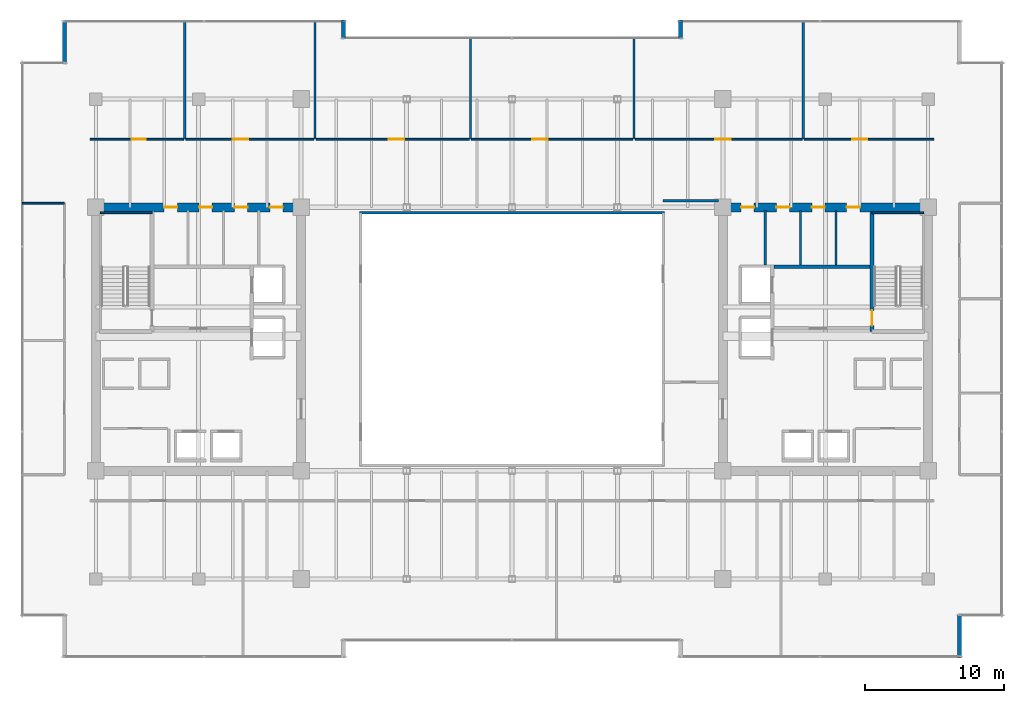
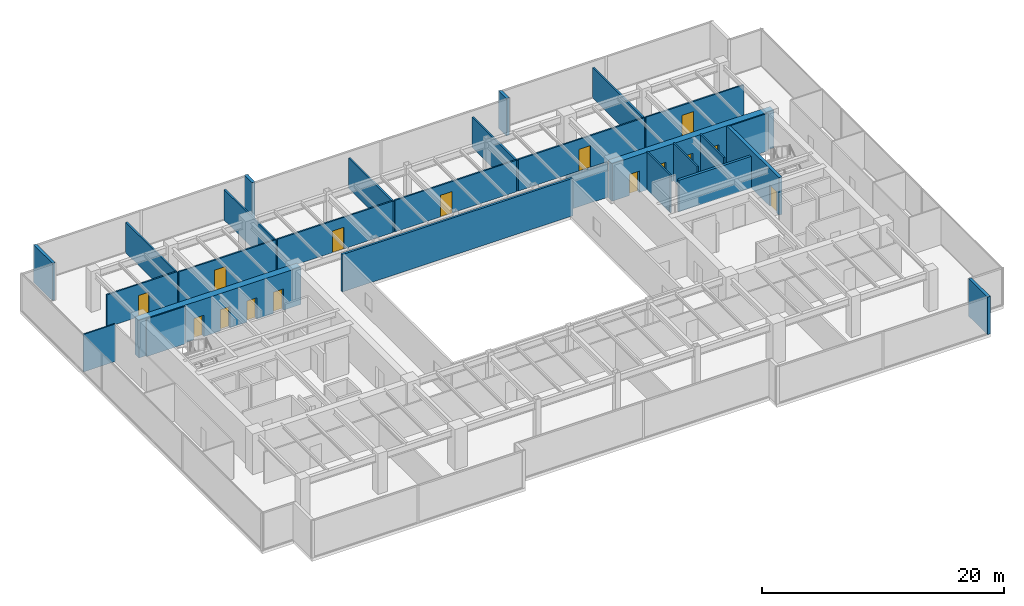
# One storey, part 27 of 30: 27 walls, 15 doors, 15 openings.
"""IFC4 building model written with IfcOpenShell, lengths in metres."""

from ifc_helpers import new_model, si_unit, direction, frame, frame_2d, origin, place, context, subcontext, project, spatial, rectangle, extrude, source, transform, mapped, material, layer, layer_set, type_object, type_shapes, element, fill, save


model = new_model("IFC4")

# Units and contexts
model_context = context("Model", 3, precision=1e-05, world=origin(), true_north=direction((0.0, 1.0)))
body_context = subcontext(model_context, "Body", "Model", "MODEL_VIEW")
ifc_project = project(units=[si_unit("LENGTHUNIT", "METRE"), si_unit("AREAUNIT", "SQUARE_METRE"), si_unit("VOLUMEUNIT", "CUBIC_METRE"), si_unit("PLANEANGLEUNIT", "RADIAN"), si_unit("MASSUNIT", "GRAM", prefix="KILO")], contexts=[model_context])

# Site, building, storey
site_placement = place(None, origin())
site = spatial("IfcSite", under=ifc_project, at=site_placement, CompositionType="ELEMENT")
building_placement = place(site_placement, origin())
building = spatial("IfcBuilding", under=site, at=building_placement, Name="Haelvirn Gate Laboratories", CompositionType="ELEMENT")
storey_placement = place(building_placement, frame((0.0, 0.0, 170.699951171875)))
storey = spatial("IfcBuildingStorey", under=building, at=storey_placement, Name="L41", CompositionType="ELEMENT", Elevation=170.699951171875)

# Walls
ifc_material_1 = material(Name="Thermally-broken bronze aluminium rainscreen & mineral wool", Category="aluminium")
ifc_layer_1 = layer(ifc_material_1, 0.280029296875, Name="EW-TERR-280")
ifc_layer_set_1 = layer_set([ifc_layer_1], Name="Thermally-broken bronze aluminium rainscreen & mineral wool")
wall_type_1 = type_object("IfcWallType", Name="EW-TERR-280", PredefinedType="STANDARD", material=ifc_layer_set_1)
wall_1_placement = place(storey_placement, frame((69.659912109375, 1.300048828125, 0.0), z_axis=(0.0, 0.0, 1.0), x_axis=(0.0, 1.0, 0.0)))
element("IfcWall", 1, at=wall_1_placement, inside=storey, type_object=wall_type_1, Name="L41 Atrium Recess Bronze Return Wall 05", PredefinedType="STANDARD", context=body_context, shape_type="SweptSolid", body=[
    extrude(rectangle(XDim=3.087890625, YDim=0.280029296875, at=frame_2d((1.5439453125, 0.0))), origin(), (0.0, 0.0, 1.0), 3.7900390625),
])
for number, where, z_axis, x_axis, name in (
    (2, (49.5400390625, 47.300048828125, 0.0), (0.0, 0.0, 1.0), (0.0, -1.0, 0.0), "L41 Atrium Recess Bronze Return Wall 11"),
    (3, (25.260009765625, 46.011962890625, 0.0), (0.0, 0.0, 1.0), (0.0, 1.0, 0.0), "L41 Atrium Recess Bronze Return Wall 13"),
):
    element("IfcWall", number, at=place(storey_placement, frame(where, z_axis=z_axis, x_axis=x_axis)), inside=storey, type_object=wall_type_1, Name=name, PredefinedType="STANDARD", context=body_context, shape_type="SweptSolid", body=[
        extrude(rectangle(XDim=1.2880859375, YDim=0.280029296875, at=frame_2d((0.64404296875, 0.0))), origin(), (0.0, 0.0, 1.0), 3.7900390625),
    ])
wall_2_placement = place(storey_placement, frame((5.139892578125, 47.300048828125, 0.0), z_axis=(0.0, 0.0, 1.0), x_axis=(0.0, -1.0, 0.0)))
element("IfcWall", 4, at=wall_2_placement, inside=storey, type_object=wall_type_1, Name="L41 Atrium Recess Bronze Return Wall 15", PredefinedType="STANDARD", context=body_context, shape_type="SweptSolid", body=[
    extrude(rectangle(XDim=3.088134765625, YDim=0.280029296875, at=frame_2d((1.5439453125, 0.0))), origin(), (0.0, 0.0, 1.0), 3.7900390625),
])
ifc_material_2 = material(Name="Double-layer acoustic gypsum laboratory partition", Category="gypsum")
ifc_layer_2 = layer(ifc_material_2, 0.159912109375, Name="IW-ACOUST-160")
ifc_layer_set_2 = layer_set([ifc_layer_2], Name="Double-layer acoustic gypsum laboratory partition")
wall_type_2 = type_object("IfcWallType", Name="IW-ACOUST-160", PredefinedType="PARTITIONING", material=ifc_layer_set_2)
for number, where, z_axis, x_axis, name in (
    (5, (13.800048828125, 38.705078125, 0.0), (0.0, 0.0, 1.0), (0.0, 1.0, 0.0), "L41 Interior Wall IW-L41-NDIV-01"),
    (6, (23.199951171875, 38.705078125, 0.0), (0.0, 0.0, 1.0), (0.0, 1.0, 0.0), "L41 Interior Wall IW-L41-NDIV-02"),
):
    element("IfcWall", number, at=place(storey_placement, frame(where, z_axis=z_axis, x_axis=x_axis)), inside=storey, type_object=wall_type_2, Name=name, PredefinedType="PARTITIONING", context=body_context, shape_type="SweptSolid", body=[
        extrude(rectangle(XDim=8.48486328125, YDim=0.159912109375, at=frame_2d((4.242431640625, 0.0))), origin(), (0.0, 0.0, 1.0), 3.074951171875),
    ])
for number, where, z_axis, x_axis, name in (
    (7, (34.39990234375, 38.705078125, 0.0), (0.0, 0.0, 1.0), (0.0, 1.0, 0.0), "L41 Interior Wall IW-L41-NDIV-03"),
    (8, (46.199951171875, 38.705078125, 0.0), (0.0, 0.0, 1.0), (0.0, 1.0, 0.0), "L41 Interior Wall IW-L41-NDIV-04"),
):
    element("IfcWall", number, at=place(storey_placement, frame(where, z_axis=z_axis, x_axis=x_axis)), inside=storey, type_object=wall_type_2, Name=name, PredefinedType="PARTITIONING", context=body_context, shape_type="SweptSolid", body=[
        extrude(rectangle(XDim=7.284912109375, YDim=0.159912109375, at=frame_2d((3.642578125, 0.0))), origin(), (0.0, 0.0, 1.0), 3.074951171875),
    ])
wall_3_placement = place(storey_placement, frame((58.39990234375, 38.705078125, 0.0), z_axis=(0.0, 0.0, 1.0), x_axis=(0.0, 1.0, 0.0)))
element("IfcWall", 9, at=wall_3_placement, inside=storey, type_object=wall_type_2, Name="L41 Interior Wall IW-L41-NDIV-05", PredefinedType="PARTITIONING", context=body_context, shape_type="SweptSolid", body=[
    extrude(rectangle(XDim=8.48486328125, YDim=0.159912109375, at=frame_2d((4.242431640625, 0.0))), origin(), (0.0, 0.0, 1.0), 3.074951171875),
])
ifc_material_3 = material(Name="Fire-rated acoustic gypsum board partition", Category="gypsum")
ifc_layer_3 = layer(ifc_material_3, 0.175048828125, Name="IW-ACOUST-180")
ifc_layer_set_3 = layer_set([ifc_layer_3], Name="Fire-rated acoustic gypsum board partition")
wall_type_3 = type_object("IfcWallType", Name="IW-ACOUST-180", PredefinedType="PARTITIONING", material=ifc_layer_set_3)
wall_4_placement = place(storey_placement, frame((48.300048828125, 34.260009765625, 0.0), z_axis=(0.0, 0.0, 1.0), x_axis=(1.0, 0.0, 0.0)))
element("IfcWall", 10, at=wall_4_placement, inside=storey, type_object=wall_type_3, Name="L41 Interior Wall IW-L41-ASEM-N", PredefinedType="PARTITIONING", context=body_context, shape_type="SweptSolid", body=[
    extrude(rectangle(XDim=3.974853515625, YDim=0.175048828125, at=frame_2d((1.9873046875, 0.0))), origin(), (0.0, 0.0, 1.0), 3.47509765625),
])
ifc_material_4 = material(Name="Tempered fire-rated borosilicate glass & anodised aluminium", Category="aluminium")
ifc_layer_4 = layer(ifc_material_4, 0.195068359375, Name="IW-GLAZ-200")
ifc_layer_set_4 = layer_set([ifc_layer_4], Name="Tempered fire-rated borosilicate glass & anodised aluminium")
wall_type_4 = type_object("IfcWallType", Name="IW-GLAZ-200", PredefinedType="SOLIDWALL", material=ifc_layer_set_4)
wall_5_placement = place(storey_placement, frame((26.39990234375, 33.39990234375, 0.0), z_axis=(0.0, 0.0, 1.0), x_axis=(1.0, 0.0, 0.0)))
element("IfcWall", 11, at=wall_5_placement, inside=storey, type_object=wall_type_4, Name="L41 Interior Wall IW-L41-ATRIUM-N", PredefinedType="SOLIDWALL", context=body_context, shape_type="SweptSolid", body=[
    extrude(rectangle(XDim=22.0, YDim=0.195068359375, at=frame_2d((11.0, 0.0))), origin(), (0.0, 0.0, 1.0), 3.7900390625),
])
ifc_material_5 = material(Name="Lightweight acoustic gypsum board partition", Category="gypsum")
ifc_layer_5 = layer(ifc_material_5, 0.1201171875, Name="IW-PART-120")
ifc_layer_set_5 = layer_set([ifc_layer_5], Name="Lightweight acoustic gypsum board partition")
wall_type_5 = type_object("IfcWallType", Name="IW-PART-120", PredefinedType="PARTITIONING", material=ifc_layer_set_5)
wall_6_placement = place(storey_placement, frame((2.110107421875, 34.0849609375, 0.0), z_axis=(0.0, 0.0, 1.0), x_axis=(1.0, 0.0, 0.0)))
element("IfcWall", 12, at=wall_6_placement, inside=storey, type_object=wall_type_5, Name="L41 Interior Wall IW-L41-WCAP-N", PredefinedType="PARTITIONING", context=body_context, shape_type="SweptSolid", body=[
    extrude(rectangle(XDim=3.019775390625, YDim=0.1201171875, at=frame_2d((1.509765625, 0.0))), origin(), (0.0, 0.0, 1.0), 3.7900390625),
])

# Wall, opening, door
ifc_material_6 = material(Name="Acoustic mineral-wool gypsum board partition", Category="gypsum")
ifc_layer_6 = layer(ifc_material_6, 0.139892578125, Name="IW-PART-140")
ifc_layer_set_6 = layer_set([ifc_layer_6], Name="Acoustic mineral-wool gypsum board partition")
wall_type_6 = type_object("IfcWallType", Name="IW-PART-140", PredefinedType="PARTITIONING", material=ifc_layer_set_6)
wall_7_placement = place(storey_placement, frame((6.97998046875, 38.705078125, 0.0), z_axis=(0.0, 0.0, 1.0), x_axis=(1.0, 0.0, 0.0)))
wall_7 = element("IfcWall", 13, at=wall_7_placement, inside=storey, type_object=wall_type_6, Name="L41 Interior Wall IW-L41-NCORR-01", PredefinedType="PARTITIONING", context=body_context, shape_type="SweptSolid", body=[
    extrude(rectangle(XDim=6.739990234375, YDim=0.139892578125, at=frame_2d((3.3701171875, 0.0))), origin(), (0.0, 0.0, 1.0), 3.275146484375),
])
opening_1_placement = place(wall_7_placement, frame((3.021240234375, 0.0, 0.0)))
opening_1 = element("IfcOpeningElement", 14, at=opening_1_placement, cuts=wall_7, Name="Opening D2", PredefinedType="OPENING", context=body_context, shape_type="SweptSolid", body=[
    extrude(rectangle(XDim=1.0, YDim=2.14990234375, at=frame_2d((0.5, 1.074951171875))), frame((0.0, 0.080078125, 0.0), z_axis=(0.0, -1.0, 0.0), x_axis=(1.0, 0.0, 0.0)), (0.0, 0.0, 1.0), 0.159912109375),
])
ifc_material_7 = material(Name="Acoustic solid-core timber suite door", Category="wood")
door_type_1 = type_object("IfcDoorType", Name="DR-INT-1000", OperationType="NOTDEFINED", PredefinedType="DOOR", material=ifc_material_7)
shared_shape_1 = source(origin(), body_context, "Body", "SweptSolid", [
    extrude(rectangle(XDim=1.0, YDim=2.14990234375, at=frame_2d((0.5, 1.074951171875))), frame((0.0, 0.02490234375, 0.0), z_axis=(0.0, -1.0, 0.0), x_axis=(1.0, 0.0, 0.0)), (0.0, 0.0, 1.0), 0.050048828125),
])
type_shapes(door_type_1, [shared_shape_1])
door_1_placement = place(opening_1_placement, origin())
door_1 = element("IfcDoor", 15, at=door_1_placement, inside=storey, type_object=door_type_1, Name="L41 Colloquium Conference Room Door N1", OperationType="SINGLE_SWING_LEFT", OverallHeight=2.14990234375, OverallWidth=1.0, PredefinedType="DOOR", context=body_context, shape_type="MappedRepresentation", body=[
    mapped(shared_shape_1, transform((0.0, 0.0, 0.0), scale=1.0)),
])
fill(opening_1, door_1)

wall_8_placement = place(storey_placement, frame((13.8798828125, 38.705078125, 0.0), z_axis=(0.0, 0.0, 1.0), x_axis=(1.0, 0.0, 0.0)))
wall_8 = element("IfcWall", 16, at=wall_8_placement, inside=storey, type_object=wall_type_6, Name="L41 Interior Wall IW-L41-NCORR-02", PredefinedType="PARTITIONING", context=body_context, shape_type="SweptSolid", body=[
    extrude(rectangle(XDim=9.240234375, YDim=0.139892578125, at=frame_2d((4.6201171875, 0.0))), origin(), (0.0, 0.0, 1.0), 3.18701171875),
])
opening_2_placement = place(wall_8_placement, frame((3.400390625, 0.0, 0.0)))
opening_2 = element("IfcOpeningElement", 17, at=opening_2_placement, cuts=wall_8, Name="Opening D1", PredefinedType="OPENING", context=body_context, shape_type="SweptSolid", body=[
    extrude(rectangle(XDim=1.10009765625, YDim=2.179931640625, at=frame_2d((0.550048828125, 1.08984375))), frame((0.0, 0.080078125, 0.0), z_axis=(0.0, -1.0, 0.0), x_axis=(1.0, 0.0, 0.0)), (0.0, 0.0, 1.0), 0.159912109375),
])
ifc_material_8 = material(Name="Vision-panel acoustic solid-core timber lab door", Category="wood")
door_type_2 = type_object("IfcDoorType", Name="DR-LAB-1100", OperationType="NOTDEFINED", PredefinedType="DOOR", material=ifc_material_8)
shared_shape_2 = source(origin(), body_context, "Body", "SweptSolid", [
    extrude(rectangle(XDim=1.10009765625, YDim=2.179931640625, at=frame_2d((0.550048828125, 1.08984375))), frame((0.0, 0.02490234375, 0.0), z_axis=(0.0, -1.0, 0.0), x_axis=(1.0, 0.0, 0.0)), (0.0, 0.0, 1.0), 0.050048828125),
])
type_shapes(door_type_2, [shared_shape_2])
door_2_placement = place(opening_2_placement, origin())
door_2 = element("IfcDoor", 18, at=door_2_placement, inside=storey, type_object=door_type_2, Name="L41 Protocol Briefing Training Room Door N2", OperationType="SINGLE_SWING_RIGHT", OverallHeight=2.179931640625, OverallWidth=1.10009765625, PredefinedType="DOOR", context=body_context, shape_type="MappedRepresentation", body=[
    mapped(shared_shape_2, transform((0.0, 0.0, 0.0), scale=1.0)),
])
fill(opening_2, door_2)

wall_9_placement = place(storey_placement, frame((23.280029296875, 38.705078125, 0.0), z_axis=(0.0, 0.0, 1.0), x_axis=(1.0, 0.0, 0.0)))
wall_9 = element("IfcWall", 19, at=wall_9_placement, inside=storey, type_object=wall_type_6, Name="L41 Interior Wall IW-L41-NCORR-03", PredefinedType="PARTITIONING", context=body_context, shape_type="SweptSolid", body=[
    extrude(rectangle(XDim=11.0400390625, YDim=0.139892578125, at=frame_2d((5.52001953125, 0.0))), origin(), (0.0, 0.0, 1.0), 3.18701171875),
])
opening_3_placement = place(wall_9_placement, frame((5.247314453125, 0.0, 0.0)))
opening_3 = element("IfcOpeningElement", 20, at=opening_3_placement, cuts=wall_9, Name="Opening D1", PredefinedType="OPENING", context=body_context, shape_type="SweptSolid", body=[
    extrude(rectangle(XDim=1.10009765625, YDim=2.179931640625, at=frame_2d((0.550048828125, 1.08984375))), frame((0.0, 0.080078125, 0.0), z_axis=(0.0, -1.0, 0.0), x_axis=(1.0, 0.0, 0.0)), (0.0, 0.0, 1.0), 0.159912109375),
])
door_3_placement = place(opening_3_placement, origin())
door_3 = element("IfcDoor", 21, at=door_3_placement, inside=storey, type_object=door_type_2, Name="L41 Peer-Review Seminar Room Door N3", OperationType="SINGLE_SWING_LEFT", OverallHeight=2.179931640625, OverallWidth=1.10009765625, PredefinedType="DOOR", context=body_context, shape_type="MappedRepresentation", body=[
    mapped(shared_shape_2, transform((0.0, 0.0, 0.0), scale=1.0)),
])
fill(opening_3, door_3)

wall_10_placement = place(storey_placement, frame((34.47998046875, 38.705078125, 0.0), z_axis=(0.0, 0.0, 1.0), x_axis=(1.0, 0.0, 0.0)))
wall_10 = element("IfcWall", 22, at=wall_10_placement, inside=storey, type_object=wall_type_6, Name="L41 Interior Wall IW-L41-NCORR-04", PredefinedType="PARTITIONING", context=body_context, shape_type="SweptSolid", body=[
    extrude(rectangle(XDim=11.64013671875, YDim=0.139892578125, at=frame_2d((5.820068359375, 0.0))), origin(), (0.0, 0.0, 1.0), 3.18701171875),
])
opening_4_placement = place(wall_10_placement, frame((4.384521484375, 0.0, 0.0)))
opening_4 = element("IfcOpeningElement", 23, at=opening_4_placement, cuts=wall_10, Name="Opening D1", PredefinedType="OPENING", context=body_context, shape_type="SweptSolid", body=[
    extrude(rectangle(XDim=1.10009765625, YDim=2.179931640625, at=frame_2d((0.550048828125, 1.08984375))), frame((0.0, 0.080078125, 0.0), z_axis=(0.0, -1.0, 0.0), x_axis=(1.0, 0.0, 0.0)), (0.0, 0.0, 1.0), 0.159912109375),
])
door_4_placement = place(opening_4_placement, origin())
door_4 = element("IfcDoor", 24, at=door_4_placement, inside=storey, type_object=door_type_2, Name="L41 Colloquium Conference Room Door N4", OperationType="SINGLE_SWING_RIGHT", OverallHeight=2.179931640625, OverallWidth=1.10009765625, PredefinedType="DOOR", context=body_context, shape_type="MappedRepresentation", body=[
    mapped(shared_shape_2, transform((0.0, 0.0, 0.0), scale=1.0)),
])
fill(opening_4, door_4)

wall_11_placement = place(storey_placement, frame((46.280029296875, 38.705078125, 0.0), z_axis=(0.0, 0.0, 1.0), x_axis=(1.0, 0.0, 0.0)))
wall_11 = element("IfcWall", 25, at=wall_11_placement, inside=storey, type_object=wall_type_6, Name="L41 Interior Wall IW-L41-NCORR-05", PredefinedType="PARTITIONING", context=body_context, shape_type="SweptSolid", body=[
    extrude(rectangle(XDim=12.0400390625, YDim=0.139892578125, at=frame_2d((6.02001953125, 0.0))), origin(), (0.0, 0.0, 1.0), 3.18701171875),
])
opening_5_placement = place(wall_11_placement, frame((5.777099609375, 0.0, 0.0)))
opening_5 = element("IfcOpeningElement", 26, at=opening_5_placement, cuts=wall_11, Name="Opening D1", PredefinedType="OPENING", context=body_context, shape_type="SweptSolid", body=[
    extrude(rectangle(XDim=1.10009765625, YDim=2.179931640625, at=frame_2d((0.550048828125, 1.08984375))), frame((0.0, 0.080078125, 0.0), z_axis=(0.0, -1.0, 0.0), x_axis=(1.0, 0.0, 0.0)), (0.0, 0.0, 1.0), 0.159912109375),
])
door_5_placement = place(opening_5_placement, origin())
door_5 = element("IfcDoor", 27, at=door_5_placement, inside=storey, type_object=door_type_2, Name="L41 Cryo-EM Imaging Suite Door N5", OperationType="SINGLE_SWING_LEFT", OverallHeight=2.179931640625, OverallWidth=1.10009765625, PredefinedType="DOOR", context=body_context, shape_type="MappedRepresentation", body=[
    mapped(shared_shape_2, transform((0.0, 0.0, 0.0), scale=1.0)),
])
fill(opening_5, door_5)

wall_12_placement = place(storey_placement, frame((58.47998046875, 38.705078125, 0.0), z_axis=(0.0, 0.0, 1.0), x_axis=(1.0, 0.0, 0.0)))
wall_12 = element("IfcWall", 28, at=wall_12_placement, inside=storey, type_object=wall_type_6, Name="L41 Interior Wall IW-L41-NCORR-06", PredefinedType="PARTITIONING", context=body_context, shape_type="SweptSolid", body=[
    extrude(rectangle(XDim=9.340087890625, YDim=0.139892578125, at=frame_2d((4.669921875, 0.0))), origin(), (0.0, 0.0, 1.0), 3.18701171875),
])
opening_6_placement = place(wall_12_placement, frame((3.44140625, 0.0, 0.0)))
opening_6 = element("IfcOpeningElement", 29, at=opening_6_placement, cuts=wall_12, Name="Opening D1", PredefinedType="OPENING", context=body_context, shape_type="SweptSolid", body=[
    extrude(rectangle(XDim=1.10009765625, YDim=2.179931640625, at=frame_2d((0.550048828125, 1.08984375))), frame((0.0, 0.080078125, 0.0), z_axis=(0.0, -1.0, 0.0), x_axis=(1.0, 0.0, 0.0)), (0.0, 0.0, 1.0), 0.159912109375),
])
door_6_placement = place(opening_6_placement, origin())
door_6 = element("IfcDoor", 30, at=door_6_placement, inside=storey, type_object=door_type_2, Name="L41 Analytical Instrument Suite Door N6", OperationType="SINGLE_SWING_RIGHT", OverallHeight=2.179931640625, OverallWidth=1.10009765625, PredefinedType="DOOR", context=body_context, shape_type="MappedRepresentation", body=[
    mapped(shared_shape_2, transform((0.0, 0.0, 0.0), scale=1.0)),
])
fill(opening_6, door_6)

# Walls
ifc_material_9 = material(Name="Cement-board restroom plumbing chase wall", Category="gypsum")
ifc_layer_7 = layer(ifc_material_9, 0.155029296875, Name="IW-PLUMB-160")
ifc_layer_set_7 = layer_set([ifc_layer_7], Name="Cement-board restroom plumbing chase wall")
wall_type_7 = type_object("IfcWallType", Name="IW-PLUMB-160", PredefinedType="PLUMBINGWALL", material=ifc_layer_set_7)
for number, where, z_axis, x_axis, name in (
    (31, (60.760009765625, 29.64990234375, 0.0), (0.0, 0.0, 1.0), (0.0, 1.0, 0.0), "L41 Interior Wall IW-L41-E-CDIV-1"),
    (32, (58.2099609375, 29.64990234375, 0.0), (0.0, 0.0, 1.0), (0.0, 1.0, 0.0), "L41 Interior Wall IW-L41-E-CDIV-2"),
    (33, (55.659912109375, 29.64990234375, 0.0), (0.0, 0.0, 1.0), (0.0, 1.0, 0.0), "L41 Interior Wall IW-L41-E-CDIV-3"),
):
    element("IfcWall", number, at=place(storey_placement, frame(where, z_axis=z_axis, x_axis=x_axis)), inside=storey, type_object=wall_type_7, Name=name, PredefinedType="PLUMBINGWALL", context=body_context, shape_type="SweptSolid", body=[
        extrude(rectangle(XDim=3.93017578125, YDim=0.155029296875, at=frame_2d((1.965087890625, 0.0))), origin(), (0.0, 0.0, 1.0), 3.7900390625),
    ])
ifc_material_10 = material(Name="Concrete C40/50", Category="concrete")
ifc_layer_8 = layer(ifc_material_10, 0.239990234375, Name="IW-SHAFT-240")
ifc_layer_set_8 = layer_set([ifc_layer_8], Name="Concrete C40/50")
wall_type_8 = type_object("IfcWallType", Name="IW-SHAFT-240", PredefinedType="SOLIDWALL", material=ifc_layer_set_8)
wall_13_placement = place(storey_placement, frame((56.280029296875, 29.52001953125, 0.0), z_axis=(0.0, 0.0, 1.0), x_axis=(1.0, 0.0, 0.0)))
element("IfcWall", 34, at=wall_13_placement, inside=storey, type_object=wall_type_8, Name="L41 Interior Wall IW-L41-E-FF-N", PredefinedType="SOLIDWALL", context=body_context, shape_type="SweptSolid", body=[
    extrude(rectangle(XDim=6.919921875, YDim=0.239990234375, at=frame_2d((3.4599609375, 0.0))), origin(), (0.0, 0.0, 1.0), 3.18701171875),
])

# Wall, openings, doors
ifc_material_11 = material(Name="Concrete C60/75", Category="concrete")
ifc_layer_9 = layer(ifc_material_11, 0.64990234375, Name="SW-CORE-650")
ifc_layer_set_9 = layer_set([ifc_layer_9], Name="Concrete C60/75")
wall_type_9 = type_object("IfcWallType", Name="SW-CORE-650", PredefinedType="SHEAR", material=ifc_layer_set_9)
wall_14_placement = place(storey_placement, frame((7.074951171875, 33.800048828125, 0.0), z_axis=(0.0, 0.0, 1.0), x_axis=(1.0, 0.0, 0.0)))
wall_14 = element("IfcWall", 35, at=wall_14_placement, inside=storey, type_object=wall_type_9, Name="L41 W Core Shear Wall N", PredefinedType="SHEAR", context=body_context, shape_type="SweptSolid", body=[
    extrude(rectangle(XDim=15.449951171875, YDim=0.64990234375, at=frame_2d((7.72509765625, 0.0))), origin(), (0.0, 0.0, 1.0), 3.7900390625),
])
opening_7_placement = place(wall_14_placement, frame((5.25, 0.0, 0.0)))
opening_7 = element("IfcOpeningElement", 36, at=opening_7_placement, cuts=wall_14, Name="Opening FD4", PredefinedType="OPENING", context=body_context, shape_type="SweptSolid", body=[
    extrude(rectangle(XDim=0.949951171875, YDim=2.14990234375, at=frame_2d((0.47509765625, 1.074951171875))), frame((0.0, 0.3349609375, 0.0), z_axis=(0.0, -1.0, 0.0), x_axis=(1.0, 0.0, 0.0)), (0.0, 0.0, 1.0), 0.669921875),
])
opening_8_placement = place(wall_14_placement, frame((7.764892578125, 0.0, 0.0)))
opening_8 = element("IfcOpeningElement", 37, at=opening_8_placement, cuts=wall_14, Name="Opening FD4", PredefinedType="OPENING", context=body_context, shape_type="SweptSolid", body=[
    extrude(rectangle(XDim=0.949951171875, YDim=2.14990234375, at=frame_2d((0.47509765625, 1.074951171875))), frame((0.0, 0.3349609375, 0.0), z_axis=(0.0, -1.0, 0.0), x_axis=(1.0, 0.0, 0.0)), (0.0, 0.0, 1.0), 0.669921875),
])
opening_9_placement = place(wall_14_placement, frame((10.31494140625, 0.0, 0.0)))
opening_9 = element("IfcOpeningElement", 38, at=opening_9_placement, cuts=wall_14, Name="Opening FD4", PredefinedType="OPENING", context=body_context, shape_type="SweptSolid", body=[
    extrude(rectangle(XDim=0.949951171875, YDim=2.14990234375, at=frame_2d((0.47509765625, 1.074951171875))), frame((0.0, 0.3349609375, 0.0), z_axis=(0.0, -1.0, 0.0), x_axis=(1.0, 0.0, 0.0)), (0.0, 0.0, 1.0), 0.669921875),
])
opening_10_placement = place(wall_14_placement, frame((12.864990234375, 0.0, 0.0)))
opening_10 = element("IfcOpeningElement", 39, at=opening_10_placement, cuts=wall_14, Name="Opening FD4", PredefinedType="OPENING", context=body_context, shape_type="SweptSolid", body=[
    extrude(rectangle(XDim=0.949951171875, YDim=2.14990234375, at=frame_2d((0.47509765625, 1.074951171875))), frame((0.0, 0.3349609375, 0.0), z_axis=(0.0, -1.0, 0.0), x_axis=(1.0, 0.0, 0.0)), (0.0, 0.0, 1.0), 0.669921875),
])
ifc_material_12 = material(Name="Fire-rated steel SM355 core service door", Category="steel")
door_type_3 = type_object("IfcDoorType", Name="DR-FD-950", OperationType="NOTDEFINED", PredefinedType="DOOR", material=ifc_material_12)
shared_shape_3 = source(origin(), body_context, "Body", "SweptSolid", [
    extrude(rectangle(XDim=0.949951171875, YDim=2.14990234375, at=frame_2d((0.47509765625, 1.074951171875))), frame((0.0, 0.02490234375, 0.0), z_axis=(0.0, -1.0, 0.0), x_axis=(1.0, 0.0, 0.0)), (0.0, 0.0, 1.0), 0.050048828125),
])
type_shapes(door_type_3, [shared_shape_3])
door_7_placement = place(opening_7_placement, origin())
door_7 = element("IfcDoor", 40, at=door_7_placement, inside=storey, type_object=door_type_3, Name="L41 Male Restroom Fire Door", OperationType="SINGLE_SWING_RIGHT", OverallHeight=2.14990234375, OverallWidth=0.949951171875, PredefinedType="DOOR", context=body_context, shape_type="MappedRepresentation", body=[
    mapped(shared_shape_3, transform((0.0, 0.0, 0.0), scale=1.0)),
])
fill(opening_7, door_7)
door_8_placement = place(opening_8_placement, origin())
door_8 = element("IfcDoor", 41, at=door_8_placement, inside=storey, type_object=door_type_3, Name="L41 Female Restroom Fire Door", OperationType="SINGLE_SWING_LEFT", OverallHeight=2.14990234375, OverallWidth=0.949951171875, PredefinedType="DOOR", context=body_context, shape_type="MappedRepresentation", body=[
    mapped(shared_shape_3, transform((0.0, 0.0, 0.0), scale=1.0)),
])
fill(opening_8, door_8)
door_9_placement = place(opening_9_placement, origin())
door_9 = element("IfcDoor", 42, at=door_9_placement, inside=storey, type_object=door_type_3, Name="L41 Accessible Restroom Fire Door", OperationType="SINGLE_SWING_RIGHT", OverallHeight=2.14990234375, OverallWidth=0.949951171875, PredefinedType="DOOR", context=body_context, shape_type="MappedRepresentation", body=[
    mapped(shared_shape_3, transform((0.0, 0.0, 0.0), scale=1.0)),
])
fill(opening_9, door_9)
door_10_placement = place(opening_10_placement, origin())
door_10 = element("IfcDoor", 43, at=door_10_placement, inside=storey, type_object=door_type_3, Name="L41 Decontamination Shower Washroom Fire Door", OperationType="SINGLE_SWING_LEFT", OverallHeight=2.14990234375, OverallWidth=0.949951171875, PredefinedType="DOOR", context=body_context, shape_type="MappedRepresentation", body=[
    mapped(shared_shape_3, transform((0.0, 0.0, 0.0), scale=1.0)),
])
fill(opening_10, door_10)

wall_15_placement = place(storey_placement, frame((52.27490234375, 33.800048828125, 0.0), z_axis=(0.0, 0.0, 1.0), x_axis=(1.0, 0.0, 0.0)))
wall_15 = element("IfcWall", 44, at=wall_15_placement, inside=storey, type_object=wall_type_9, Name="L41 E Core Shear Wall N", PredefinedType="SHEAR", context=body_context, shape_type="SweptSolid", body=[
    extrude(rectangle(XDim=15.4501953125, YDim=0.64990234375, at=frame_2d((7.72509765625, 0.0))), origin(), (0.0, 0.0, 1.0), 3.7900390625),
])
opening_11_placement = place(wall_15_placement, frame((9.25, 0.0, 0.0)))
opening_11 = element("IfcOpeningElement", 45, at=opening_11_placement, cuts=wall_15, Name="Opening FD4", PredefinedType="OPENING", context=body_context, shape_type="SweptSolid", body=[
    extrude(rectangle(XDim=0.949951171875, YDim=2.14990234375, at=frame_2d((0.47509765625, 1.074951171875))), frame((0.0, 0.3349609375, 0.0), z_axis=(0.0, -1.0, 0.0), x_axis=(1.0, 0.0, 0.0)), (0.0, 0.0, 1.0), 0.669921875),
])
opening_12_placement = place(wall_15_placement, frame((6.735107421875, 0.0, 0.0)))
opening_12 = element("IfcOpeningElement", 46, at=opening_12_placement, cuts=wall_15, Name="Opening FD4", PredefinedType="OPENING", context=body_context, shape_type="SweptSolid", body=[
    extrude(rectangle(XDim=0.949951171875, YDim=2.14990234375, at=frame_2d((0.47509765625, 1.074951171875))), frame((0.0, 0.3349609375, 0.0), z_axis=(0.0, -1.0, 0.0), x_axis=(1.0, 0.0, 0.0)), (0.0, 0.0, 1.0), 0.669921875),
])
opening_13_placement = place(wall_15_placement, frame((4.18505859375, 0.0, 0.0)))
opening_13 = element("IfcOpeningElement", 47, at=opening_13_placement, cuts=wall_15, Name="Opening FD4", PredefinedType="OPENING", context=body_context, shape_type="SweptSolid", body=[
    extrude(rectangle(XDim=0.949951171875, YDim=2.14990234375, at=frame_2d((0.47509765625, 1.074951171875))), frame((0.0, 0.3349609375, 0.0), z_axis=(0.0, -1.0, 0.0), x_axis=(1.0, 0.0, 0.0)), (0.0, 0.0, 1.0), 0.669921875),
])
opening_14_placement = place(wall_15_placement, frame((1.635009765625, 0.0, 0.0)))
opening_14 = element("IfcOpeningElement", 48, at=opening_14_placement, cuts=wall_15, Name="Opening FD4", PredefinedType="OPENING", context=body_context, shape_type="SweptSolid", body=[
    extrude(rectangle(XDim=0.949951171875, YDim=2.14990234375, at=frame_2d((0.47509765625, 1.074951171875))), frame((0.0, 0.3349609375, 0.0), z_axis=(0.0, -1.0, 0.0), x_axis=(1.0, 0.0, 0.0)), (0.0, 0.0, 1.0), 0.669921875),
])
door_11_placement = place(opening_11_placement, origin())
door_11 = element("IfcDoor", 49, at=door_11_placement, inside=storey, type_object=door_type_3, Name="L41 Male Restroom Fire Door", OperationType="SINGLE_SWING_RIGHT", OverallHeight=2.14990234375, OverallWidth=0.949951171875, PredefinedType="DOOR", context=body_context, shape_type="MappedRepresentation", body=[
    mapped(shared_shape_3, transform((0.0, 0.0, 0.0), scale=1.0)),
])
fill(opening_11, door_11)
door_12_placement = place(opening_12_placement, origin())
door_12 = element("IfcDoor", 50, at=door_12_placement, inside=storey, type_object=door_type_3, Name="L41 Female Restroom Fire Door", OperationType="SINGLE_SWING_LEFT", OverallHeight=2.14990234375, OverallWidth=0.949951171875, PredefinedType="DOOR", context=body_context, shape_type="MappedRepresentation", body=[
    mapped(shared_shape_3, transform((0.0, 0.0, 0.0), scale=1.0)),
])
fill(opening_12, door_12)
door_13_placement = place(opening_13_placement, origin())
door_13 = element("IfcDoor", 51, at=door_13_placement, inside=storey, type_object=door_type_3, Name="L41 Accessible Restroom Fire Door", OperationType="SINGLE_SWING_RIGHT", OverallHeight=2.14990234375, OverallWidth=0.949951171875, PredefinedType="DOOR", context=body_context, shape_type="MappedRepresentation", body=[
    mapped(shared_shape_3, transform((0.0, 0.0, 0.0), scale=1.0)),
])
fill(opening_13, door_13)
door_14_placement = place(opening_14_placement, origin())
door_14 = element("IfcDoor", 52, at=door_14_placement, inside=storey, type_object=door_type_3, Name="L41 Decontamination Shower Washroom Fire Door", OperationType="SINGLE_SWING_LEFT", OverallHeight=2.14990234375, OverallWidth=0.949951171875, PredefinedType="DOOR", context=body_context, shape_type="MappedRepresentation", body=[
    mapped(shared_shape_3, transform((0.0, 0.0, 0.0), scale=1.0)),
])
fill(opening_14, door_14)

# Walls
ifc_material_13 = material(Name="Concrete C50/60", Category="concrete")
ifc_layer_10 = layer(ifc_material_13, 0.1201171875, Name="SW-LINER-120")
ifc_layer_set_10 = layer_set([ifc_layer_10], Name="Concrete C50/60")
wall_type_10 = type_object("IfcWallType", Name="SW-LINER-120", PredefinedType="SOLIDWALL", material=ifc_layer_set_10)
for number, where, z_axis, x_axis, name in (
    (53, (7.72998046875, 33.39990234375, 0.0), (0.0, 0.0, 1.0), (1.0, 0.0, 0.0), "L41 W Core Stair Shaft Liner Wall N"),
    (54, (63.35009765625, 33.39990234375, 0.0), (0.0, 0.0, 1.0), (1.0, 0.0, 0.0), "L41 E Core Stair Shaft Liner Wall N"),
):
    element("IfcWall", number, at=place(storey_placement, frame(where, z_axis=z_axis, x_axis=x_axis)), inside=storey, type_object=wall_type_10, Name=name, PredefinedType="SOLIDWALL", context=body_context, shape_type="SweptSolid", body=[
        extrude(rectangle(XDim=3.719970703125, YDim=0.1201171875, at=frame_2d((1.85986328125, 0.0))), origin(), (0.0, 0.0, 1.0), 3.7900390625),
    ])

# Wall, opening, door
ifc_layer_11 = layer(ifc_material_13, 0.300048828125, Name="SW-STAIR-300")
ifc_layer_set_11 = layer_set([ifc_layer_11], Name="Concrete C50/60")
wall_type_11 = type_object("IfcWallType", Name="SW-STAIR-300", PredefinedType="SHEAR", material=ifc_layer_set_11)
wall_16_placement = place(storey_placement, frame((63.35009765625, 24.85009765625, 0.0), z_axis=(0.0, 0.0, 1.0), x_axis=(0.0, 1.0, 0.0)))
wall_16 = element("IfcWall", 55, at=wall_16_placement, inside=storey, type_object=wall_type_11, Name="L41 E Core Stair Shaft Structural Wall IN", PredefinedType="SHEAR", context=body_context, shape_type="SweptSolid", body=[
    extrude(rectangle(XDim=8.6298828125, YDim=0.300048828125, at=frame_2d((4.31494140625, 0.0))), origin(), (0.0, 0.0, 1.0), 3.7900390625),
])
opening_15_placement = place(wall_16_placement, frame((0.419921875, 0.0, 0.0)))
opening_15 = element("IfcOpeningElement", 56, at=opening_15_placement, cuts=wall_16, Name="Opening FD3", PredefinedType="OPENING", context=body_context, shape_type="SweptSolid", body=[
    extrude(rectangle(XDim=1.10009765625, YDim=2.14990234375, at=frame_2d((0.550048828125, 1.074951171875))), frame((0.0, 0.16015625, 0.0), z_axis=(0.0, -1.0, 0.0), x_axis=(1.0, 0.0, 0.0)), (0.0, 0.0, 1.0), 0.320068359375),
])
ifc_material_14 = material(Name="Fire-rated steel SM355 escape stair door", Category="steel")
door_type_4 = type_object("IfcDoorType", Name="DR-FD-1100", OperationType="NOTDEFINED", PredefinedType="DOOR", material=ifc_material_14)
shared_shape_4 = source(origin(), body_context, "Body", "SweptSolid", [
    extrude(rectangle(XDim=1.10009765625, YDim=2.14990234375, at=frame_2d((0.550048828125, 1.074951171875))), frame((0.0, 0.02490234375, 0.0), z_axis=(0.0, -1.0, 0.0), x_axis=(1.0, 0.0, 0.0)), (0.0, 0.0, 1.0), 0.050048828125),
])
type_shapes(door_type_4, [shared_shape_4])
door_15_placement = place(opening_15_placement, origin())
door_15 = element("IfcDoor", 57, at=door_15_placement, inside=storey, type_object=door_type_4, Name="L41 Escape Stair ST2 Fire Door", OperationType="SINGLE_SWING_RIGHT", OverallHeight=2.14990234375, OverallWidth=1.10009765625, PredefinedType="DOOR", context=body_context, shape_type="MappedRepresentation", body=[
    mapped(shared_shape_4, transform((0.0, 0.0, 0.0), scale=1.0)),
])
fill(opening_15, door_15)

save(model, "model.ifc")
